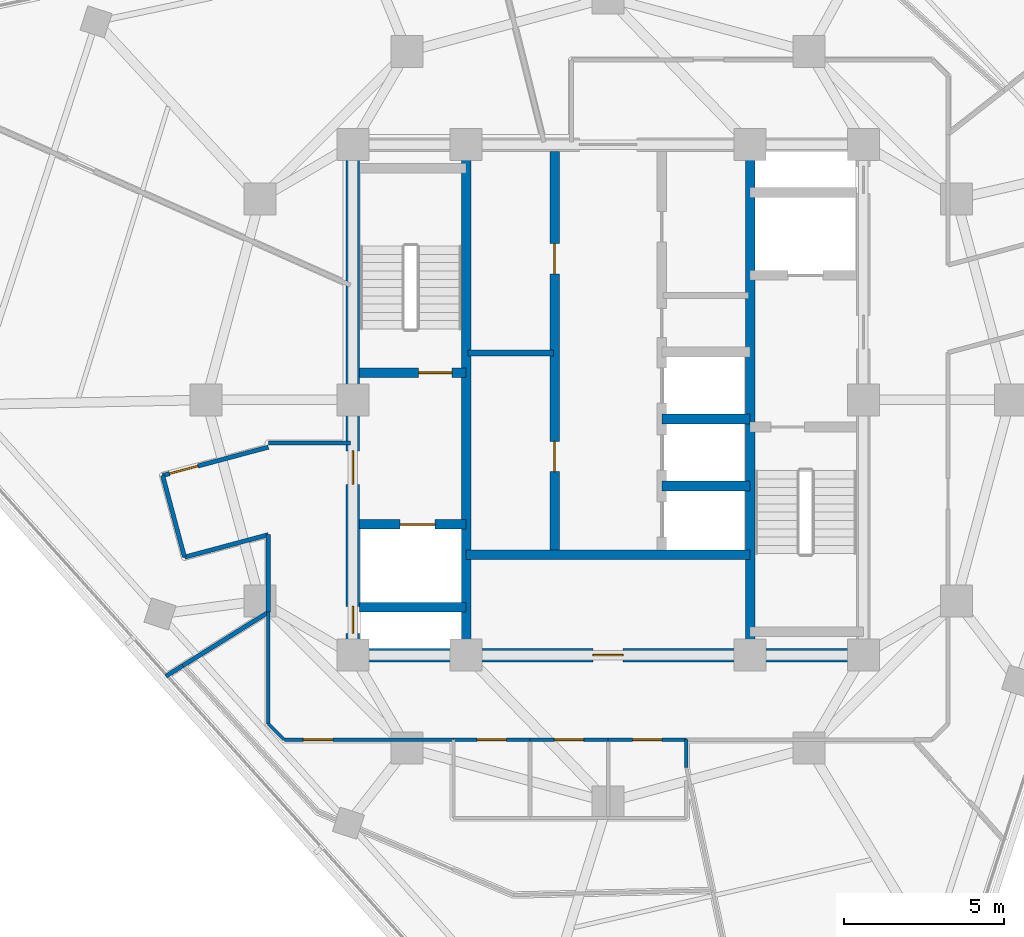
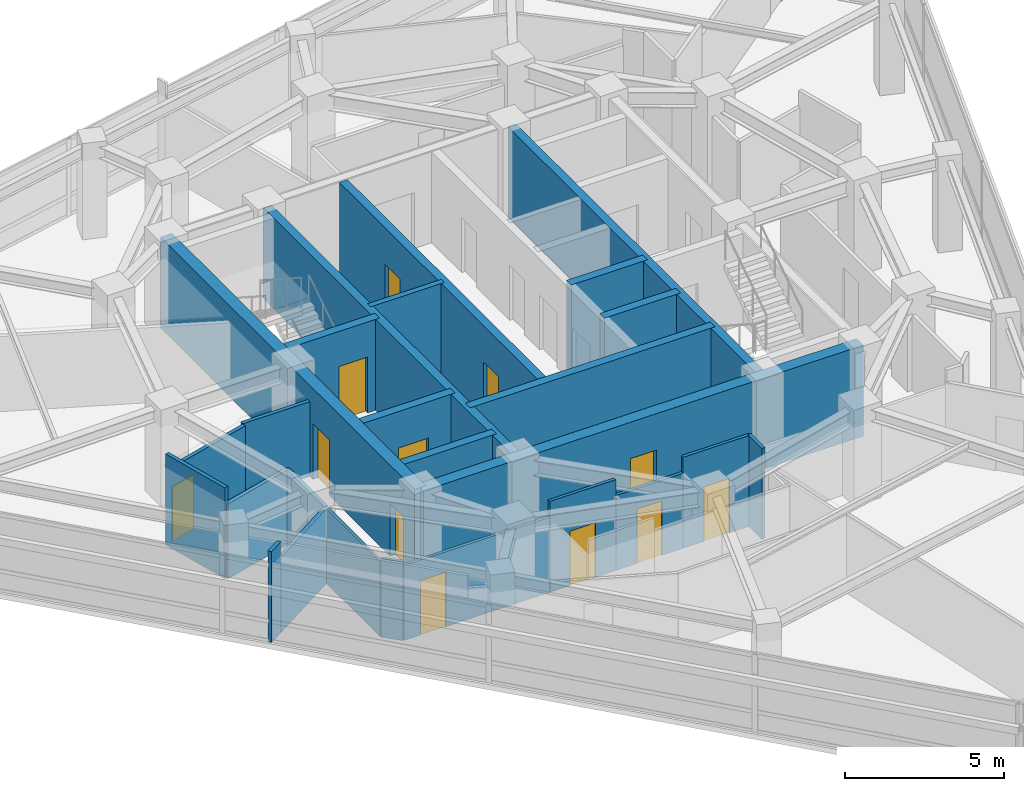
# One storey, part 8 of 15: 26 walls, 12 doors, 12 openings.
"""IFC4 building model written with IfcOpenShell, lengths in metres."""

from ifc_helpers import new_model, si_unit, direction, frame, frame_2d, origin, place, context, subcontext, project, spatial, rectangle, extrude, material, layer, layer_set, type_object, element, fill, save


model = new_model("IFC4")

# Units and contexts
model_context = context("Model", 3, precision=1e-05, world=origin(), true_north=direction((0.0, 1.0)))
body_context = subcontext(model_context, "Body", "Model", "MODEL_VIEW")
ifc_project = project(units=[si_unit("LENGTHUNIT", "METRE"), si_unit("AREAUNIT", "SQUARE_METRE"), si_unit("VOLUMEUNIT", "CUBIC_METRE"), si_unit("PLANEANGLEUNIT", "RADIAN"), si_unit("MASSUNIT", "GRAM", prefix="KILO")], contexts=[model_context])

# Site, building, storey
site_placement = place(None, origin())
site = spatial("IfcSite", under=ifc_project, at=site_placement, CompositionType="ELEMENT")
building_placement = place(site_placement, origin())
building = spatial("IfcBuilding", under=site, at=building_placement, Name="Terralouvre Media Tower", CompositionType="ELEMENT")
storey_placement = place(building_placement, frame((0.0, 0.0, 283.199951171875)))
storey = spatial("IfcBuildingStorey", under=building, at=storey_placement, Name="L73", CompositionType="ELEMENT", Elevation=283.199951171875)

# Walls
ifc_material_1 = material(Name="Concrete C50/60", Category="concrete")
ifc_layer_1 = layer(ifc_material_1, 0.300048828125, Name="Core Internal Shaft Wall CW-300")
ifc_layer_set_1 = layer_set([ifc_layer_1], Name="Concrete C50/60")
wall_type_1 = type_object("IfcWallType", Name="Core Internal Shaft Wall CW-300", PredefinedType="SHEAR", material=ifc_layer_set_1)
for number, where, z_axis, x_axis, name in (
    (1, (-4.449951171875, -7.7900390625, 0.0), (0.0, 0.0, 1.0), (0.0, 1.0, 0.0), "L73 Core Shaft Wall SPW"),
    (2, (4.449951171875, -7.7900390625, 0.0), (0.0, 0.0, 1.0), (0.0, 1.0, 0.0), "L73 Core Shaft Wall SPE"),
):
    element("IfcWall", number, at=place(storey_placement, frame(where, z_axis=z_axis, x_axis=x_axis)), inside=storey, type_object=wall_type_1, Name=name, PredefinedType="SHEAR", context=body_context, shape_type="SweptSolid", body=[
        extrude(rectangle(XDim=15.580078125, YDim=0.300048828125, at=frame_2d((7.7900390625, 0.0))), origin(), (0.0, 0.0, 1.0), 3.5),
    ])

# Wall, opening, door
wall_1_placement = place(storey_placement, frame((-7.7900390625, 0.85009765625, 0.0), z_axis=(0.0, 0.0, 1.0), x_axis=(1.0, 0.0, 0.0)))
wall_1 = element("IfcWall", 3, at=wall_1_placement, inside=storey, type_object=wall_type_1, Name="L73 Core Shaft Wall ST1D", PredefinedType="SHEAR", context=body_context, shape_type="SweptSolid", body=[
    extrude(rectangle(XDim=3.340087890625, YDim=0.300048828125, at=frame_2d((1.669921875, 0.0))), origin(), (0.0, 0.0, 1.0), 3.5),
])
opening_1_placement = place(wall_1_placement, frame((1.85009765625, 0.0, 0.0)))
opening_1 = element("IfcOpeningElement", 4, at=opening_1_placement, cuts=wall_1, Name="Opening FD-01-105X215", PredefinedType="OPENING", context=body_context, shape_type="SweptSolid", body=[
    extrude(rectangle(XDim=1.050048828125, YDim=2.14990234375, at=frame_2d((0.52490234375, 1.074951171875))), frame((0.0, 0.159912109375, 0.0), z_axis=(0.0, -1.0, 0.0), x_axis=(1.0, 0.0, 0.0)), (0.0, 0.0, 1.0), 0.320068359375),
])
ifc_material_2 = material(Name="Galvanised steel fire-resisting leaf", Category="steel")
door_type_1 = type_object("IfcDoorType", Name="Stair and Firefighting Lobby Fire Door FD-01 (1050x2150)", OperationType="NOTDEFINED", PredefinedType="DOOR", material=ifc_material_2)
door_1_placement = place(opening_1_placement, origin())
door_1 = element("IfcDoor", 5, at=door_1_placement, inside=storey, type_object=door_type_1, Name="L73 ST-01 Exit Stair Door", OperationType="SINGLE_SWING_LEFT", OverallHeight=2.14990234375, OverallWidth=1.050048828125, PredefinedType="DOOR", context=body_context, shape_type="SweptSolid", body=[
    extrude(rectangle(XDim=1.050048828125, YDim=2.14990234375, at=frame_2d((0.52490234375, 1.074951171875))), frame((0.0, 0.02490234375, 0.0), z_axis=(0.0, -1.0, 0.0), x_axis=(1.0, 0.0, 0.0)), (0.0, 0.0, 1.0), 0.050048828125),
])
fill(opening_1, door_1)

wall_2_placement = place(storey_placement, frame((-7.7900390625, -3.89990234375, 0.0), z_axis=(0.0, 0.0, 1.0), x_axis=(1.0, 0.0, 0.0)))
wall_2 = element("IfcWall", 6, at=wall_2_placement, inside=storey, type_object=wall_type_1, Name="L73 Core Shaft Wall FF1N", PredefinedType="SHEAR", context=body_context, shape_type="SweptSolid", body=[
    extrude(rectangle(XDim=3.340087890625, YDim=0.300048828125, at=frame_2d((1.669921875, 0.0))), origin(), (0.0, 0.0, 1.0), 3.5),
])
opening_2_placement = place(wall_2_placement, frame((1.27001953125, 0.0, 0.0)))
opening_2 = element("IfcOpeningElement", 7, at=opening_2_placement, cuts=wall_2, Name="Opening LD-FF", PredefinedType="OPENING", context=body_context, shape_type="SweptSolid", body=[
    extrude(rectangle(XDim=1.10009765625, YDim=2.10009765625, at=frame_2d((0.550048828125, 1.050048828125))), frame((0.0, 0.159912109375, 0.0), z_axis=(0.0, -1.0, 0.0), x_axis=(1.0, 0.0, 0.0)), (0.0, 0.0, 1.0), 0.320068359375),
])
ifc_material_3 = material(Name="Stainless steel 316 handrail and balustrade", Category="steel")
door_type_2 = type_object("IfcDoorType", Name="Firefighting Lift Sliding Landing Door LD-FF", OperationType="SLIDING_TO_LEFT", PredefinedType="DOOR", material=ifc_material_3)
door_2_placement = place(opening_2_placement, origin())
door_2 = element("IfcDoor", 8, at=door_2_placement, inside=storey, type_object=door_type_2, Name="L73 Firefighting Lift FFL-01 Landing Door", OperationType="SLIDING_TO_LEFT", OverallHeight=2.10009765625, OverallWidth=1.10009765625, PredefinedType="DOOR", context=body_context, shape_type="SweptSolid", body=[
    extrude(rectangle(XDim=1.10009765625, YDim=2.10009765625, at=frame_2d((0.550048828125, 1.050048828125))), frame((0.0, 0.02490234375, 0.0), z_axis=(0.0, -1.0, 0.0), x_axis=(1.0, 0.0, 0.0)), (0.0, 0.0, 1.0), 0.050048828125),
])
fill(opening_2, door_2)

# Walls
wall_3_placement = place(storey_placement, frame((-7.7900390625, -6.5, 0.0), z_axis=(0.0, 0.0, 1.0), x_axis=(1.0, 0.0, 0.0)))
element("IfcWall", 9, at=wall_3_placement, inside=storey, type_object=wall_type_1, Name="L73 Core Shaft Wall FF1S", PredefinedType="SHEAR", context=body_context, shape_type="SweptSolid", body=[
    extrude(rectangle(XDim=3.340087890625, YDim=0.300048828125, at=frame_2d((1.669921875, 0.0))), origin(), (0.0, 0.0, 1.0), 3.5),
])
wall_4_placement = place(storey_placement, frame((-4.449951171875, -4.85009765625, 0.0), z_axis=(0.0, 0.0, 1.0), x_axis=(1.0, 0.0, 0.0)))
element("IfcWall", 10, at=wall_4_placement, inside=storey, type_object=wall_type_1, Name="L73 Core Shaft Wall CSBN", PredefinedType="SHEAR", context=body_context, shape_type="SweptSolid", body=[
    extrude(rectangle(XDim=8.89990234375, YDim=0.300048828125, at=frame_2d((4.449951171875, 0.0))), origin(), (0.0, 0.0, 1.0), 3.5),
])

# Wall, openings, doors
wall_5_placement = place(storey_placement, frame((-1.679931640625, -4.85009765625, 0.0), z_axis=(0.0, 0.0, 1.0), x_axis=(0.0, 1.0, 0.0)))
wall_5 = element("IfcWall", 11, at=wall_5_placement, inside=storey, type_object=wall_type_1, Name="L73 Core Shaft Wall LBW", PredefinedType="SHEAR", context=body_context, shape_type="SweptSolid", body=[
    extrude(rectangle(XDim=12.64013671875, YDim=0.300048828125, at=frame_2d((6.320068359375, 0.0))), origin(), (0.0, 0.0, 1.0), 3.5),
])
opening_3_placement = place(wall_5_placement, frame((2.60009765625, 0.0, 0.0)))
opening_3 = element("IfcOpeningElement", 12, at=opening_3_placement, cuts=wall_5, Name="Opening FD-02-95X210", PredefinedType="OPENING", context=body_context, shape_type="SweptSolid", body=[
    extrude(rectangle(XDim=0.949951171875, YDim=2.10009765625, at=frame_2d((0.47509765625, 1.050048828125))), frame((0.0, 0.159912109375, 0.0), z_axis=(0.0, -1.0, 0.0), x_axis=(1.0, 0.0, 0.0)), (0.0, 0.0, 1.0), 0.320068359375),
])
opening_4_placement = place(wall_5_placement, frame((8.800048828125, 0.0, 0.0)))
opening_4 = element("IfcOpeningElement", 13, at=opening_4_placement, cuts=wall_5, Name="Opening FD-04-95X210", PredefinedType="OPENING", context=body_context, shape_type="SweptSolid", body=[
    extrude(rectangle(XDim=0.949951171875, YDim=2.10009765625, at=frame_2d((0.47509765625, 1.050048828125))), frame((0.0, 0.159912109375, 0.0), z_axis=(0.0, -1.0, 0.0), x_axis=(1.0, 0.0, 0.0)), (0.0, 0.0, 1.0), 0.320068359375),
])
ifc_material_4 = material(Name="Galvanised steel fire-resisting leaf", Category="steel")
door_type_3 = type_object("IfcDoorType", Name="Core Store and Service Fire Door FD-04 (950x2100)", OperationType="NOTDEFINED", PredefinedType="DOOR", material=ifc_material_4)
door_3_placement = place(opening_4_placement, origin())
door_3 = element("IfcDoor", 14, at=door_3_placement, inside=storey, type_object=door_type_3, Name="L73 Core Linen Store Door", OperationType="SINGLE_SWING_RIGHT", OverallHeight=2.10009765625, OverallWidth=0.949951171875, PredefinedType="DOOR", context=body_context, shape_type="SweptSolid", body=[
    extrude(rectangle(XDim=0.949951171875, YDim=2.10009765625, at=frame_2d((0.47509765625, 1.050048828125))), frame((0.0, 0.02490234375, 0.0), z_axis=(0.0, -1.0, 0.0), x_axis=(1.0, 0.0, 0.0)), (0.0, 0.0, 1.0), 0.050048828125),
])
fill(opening_4, door_3)
ifc_material_5 = material(Name="Galvanised steel fire-resisting leaf", Category="steel")
door_type_4 = type_object("IfcDoorType", Name="Plant and Riser Fire Door FD-02 (950x2100)", OperationType="NOTDEFINED", PredefinedType="DOOR", material=ifc_material_5)
door_4_placement = place(opening_3_placement, origin())
door_4 = element("IfcDoor", 15, at=door_4_placement, inside=storey, type_object=door_type_4, Name="L73 Core Fibre Patch Plant Door", OperationType="SINGLE_SWING_LEFT", OverallHeight=2.10009765625, OverallWidth=0.949951171875, PredefinedType="DOOR", context=body_context, shape_type="SweptSolid", body=[
    extrude(rectangle(XDim=0.949951171875, YDim=2.10009765625, at=frame_2d((0.47509765625, 1.050048828125))), frame((0.0, 0.02490234375, 0.0), z_axis=(0.0, -1.0, 0.0), x_axis=(1.0, 0.0, 0.0)), (0.0, 0.0, 1.0), 0.050048828125),
])
fill(opening_3, door_4)

# Walls
for number, where, z_axis, x_axis, name in (
    (16, (1.679931640625, -2.699951171875, 0.0), (0.0, 0.0, 1.0), (1.0, 0.0, 0.0), "L73 Core Shaft Wall PLHD1"),
    (17, (1.679931640625, -0.60009765625, 0.0), (0.0, 0.0, 1.0), (1.0, 0.0, 0.0), "L73 Core Shaft Wall PLHD2"),
):
    element("IfcWall", number, at=place(storey_placement, frame(where, z_axis=z_axis, x_axis=x_axis)), inside=storey, type_object=wall_type_1, Name=name, PredefinedType="SHEAR", context=body_context, shape_type="SweptSolid", body=[
        extrude(rectangle(XDim=2.77001953125, YDim=0.300048828125, at=frame_2d((1.385009765625, 0.0))), origin(), (0.0, 0.0, 1.0), 3.5),
    ])

# Wall, openings, doors
ifc_material_6 = material(Name="Concrete C60/75", Category="concrete")
ifc_layer_2 = layer(ifc_material_6, 0.419921875, Name="Core Reinforced Concrete Shear Wall CW-420")
ifc_layer_set_2 = layer_set([ifc_layer_2], Name="Concrete C60/75")
wall_type_2 = type_object("IfcWallType", Name="Core Reinforced Concrete Shear Wall CW-420", PredefinedType="SHEAR", material=ifc_layer_set_2)
wall_6_placement = place(storey_placement, frame((-8.0, -8.0, 0.0), z_axis=(0.0, 0.0, 1.0), x_axis=(0.0, 1.0, 0.0)))
wall_6 = element("IfcWall", 18, at=wall_6_placement, inside=storey, type_object=wall_type_2, Name="L73 W Core Shear Wall", PredefinedType="SHEAR", context=body_context, shape_type="SweptSolid", body=[
    extrude(rectangle(XDim=16.0, YDim=0.419921875, at=frame_2d((8.0, 0.0))), origin(), (0.0, 0.0, 1.0), 3.5),
])
opening_5_placement = place(wall_6_placement, frame((0.68115234375, 0.0, 0.0)))
opening_5 = element("IfcOpeningElement", 19, at=opening_5_placement, cuts=wall_6, Name="Opening TD-R1", PredefinedType="OPENING", context=body_context, shape_type="SweptSolid", body=[
    extrude(rectangle(XDim=0.85009765625, YDim=2.02001953125, at=frame_2d((0.425048828125, 1.010009765625))), frame((0.0, 0.219970703125, 0.0), z_axis=(0.0, -1.0, 0.0), x_axis=(1.0, 0.0, 0.0)), (0.0, 0.0, 1.0), 0.43994140625),
])
opening_6_placement = place(wall_6_placement, frame((5.35009765625, 0.0, 0.0)))
opening_6 = element("IfcOpeningElement", 20, at=opening_6_placement, cuts=wall_6, Name="Opening FD-01-105X215", PredefinedType="OPENING", context=body_context, shape_type="SweptSolid", body=[
    extrude(rectangle(XDim=1.050048828125, YDim=2.14990234375, at=frame_2d((0.52490234375, 1.074951171875))), frame((0.0, 0.219970703125, 0.0), z_axis=(0.0, -1.0, 0.0), x_axis=(1.0, 0.0, 0.0)), (0.0, 0.0, 1.0), 0.43994140625),
])
ifc_material_7 = material(Name="Galvanised steel fire-resisting leaf", Category="steel")
door_type_5 = type_object("IfcDoorType", Name="Riser Inspection Access Trapdoor TD-R1", OperationType="NOTDEFINED", PredefinedType="TRAPDOOR", material=ifc_material_7)
door_5_placement = place(opening_5_placement, origin())
door_5 = element("IfcDoor", 21, at=door_5_placement, inside=storey, type_object=door_type_5, Name="L73 Wet Riser Access Trapdoor", OperationType="SINGLE_SWING_LEFT", OverallHeight=2.02001953125, OverallWidth=0.85009765625, PredefinedType="TRAPDOOR", context=body_context, shape_type="SweptSolid", body=[
    extrude(rectangle(XDim=0.85009765625, YDim=2.02001953125, at=frame_2d((0.425048828125, 1.010009765625))), frame((0.0, 0.02490234375, 0.0), z_axis=(0.0, -1.0, 0.0), x_axis=(1.0, 0.0, 0.0)), (0.0, 0.0, 1.0), 0.050048828125),
])
fill(opening_5, door_5)
door_6_placement = place(opening_6_placement, origin())
door_6 = element("IfcDoor", 22, at=door_6_placement, inside=storey, type_object=door_type_1, Name="L73 West Firefighting Lobby Entry Door", OperationType="SINGLE_SWING_RIGHT", OverallHeight=2.14990234375, OverallWidth=1.050048828125, PredefinedType="DOOR", context=body_context, shape_type="SweptSolid", body=[
    extrude(rectangle(XDim=1.050048828125, YDim=2.14990234375, at=frame_2d((0.52490234375, 1.074951171875))), frame((0.0, 0.02490234375, 0.0), z_axis=(0.0, -1.0, 0.0), x_axis=(1.0, 0.0, 0.0)), (0.0, 0.0, 1.0), 0.050048828125),
])
fill(opening_6, door_6)

# Wall, opening, door
wall_7_placement = place(storey_placement, frame((-8.0, -8.0, 0.0), z_axis=(0.0, 0.0, 1.0), x_axis=(1.0, 0.0, 0.0)))
wall_7 = element("IfcWall", 23, at=wall_7_placement, inside=storey, type_object=wall_type_2, Name="L73 S Core Shear Wall", PredefinedType="SHEAR", context=body_context, shape_type="SweptSolid", body=[
    extrude(rectangle(XDim=16.0, YDim=0.419921875, at=frame_2d((8.0, 0.0))), origin(), (0.0, 0.0, 1.0), 3.5),
])
opening_7_placement = place(wall_7_placement, frame((7.52001953125, 0.0, 0.0)))
opening_7 = element("IfcOpeningElement", 24, at=opening_7_placement, cuts=wall_7, Name="Opening FD-02-95X210", PredefinedType="OPENING", context=body_context, shape_type="SweptSolid", body=[
    extrude(rectangle(XDim=0.949951171875, YDim=2.10009765625, at=frame_2d((0.47509765625, 1.050048828125))), frame((0.0, 0.219970703125, 0.0), z_axis=(0.0, -1.0, 0.0), x_axis=(1.0, 0.0, 0.0)), (0.0, 0.0, 1.0), 0.43994140625),
])
door_7_placement = place(opening_7_placement, origin())
door_7 = element("IfcDoor", 25, at=door_7_placement, inside=storey, type_object=door_type_4, Name="L73 Core Switchgear Plant Door", OperationType="SINGLE_SWING_LEFT", OverallHeight=2.10009765625, OverallWidth=0.949951171875, PredefinedType="DOOR", context=body_context, shape_type="SweptSolid", body=[
    extrude(rectangle(XDim=0.949951171875, YDim=2.10009765625, at=frame_2d((0.47509765625, 1.050048828125))), frame((0.0, 0.02490234375, 0.0), z_axis=(0.0, -1.0, 0.0), x_axis=(1.0, 0.0, 0.0)), (0.0, 0.0, 1.0), 0.050048828125),
])
fill(opening_7, door_7)

# Walls
ifc_material_8 = material(Name="Low-iron laminated double glazing with solar-control coating", Category="glass")
ifc_layer_3 = layer(ifc_material_8, 0.10009765625, Name="Demountable Glazed Office Partition PT-GL100")
ifc_layer_set_3 = layer_set([ifc_layer_3], Name="Low-iron laminated double glazing with solar-control coating")
wall_type_3 = type_object("IfcWallType", Name="Demountable Glazed Office Partition PT-GL100", PredefinedType="MOVABLE", material=ifc_layer_set_3)
wall_8_placement = place(storey_placement, frame((-10.64990234375, -6.655029296875, 0.0), z_axis=(0.0, 0.0, 1.0), x_axis=(0.0, -1.0, 0.0)))
element("IfcWall", 26, at=wall_8_placement, inside=storey, type_object=wall_type_3, Name="L73 Interior Partition 013", PredefinedType="MOVABLE", context=body_context, shape_type="SweptSolid", body=[
    extrude(rectangle(XDim=3.494873046875, YDim=0.10009765625, at=frame_2d((1.74755859375, 0.0))), origin(), (0.0, 0.0, 1.0), 2.885009765625),
])
wall_9_placement = place(storey_placement, frame((-10.64990234375, -10.14990234375, 0.0), z_axis=(0.0, 0.0, 1.0), x_axis=(0.707106781187, -0.707106781187, 0.0)))
element("IfcWall", 27, at=wall_9_placement, inside=storey, type_object=wall_type_3, Name="L73 Interior Partition 014", PredefinedType="MOVABLE", context=body_context, shape_type="SweptSolid", body=[
    extrude(rectangle(XDim=0.70703125, YDim=0.10009765625, at=frame_2d((0.353515625, 0.0))), origin(), (0.0, 0.0, 1.0), 3.03515625),
])

# Wall, opening, door
wall_10_placement = place(storey_placement, frame((-10.14990234375, -10.64990234375, 0.0), z_axis=(0.0, 0.0, 1.0), x_axis=(1.0, 0.0, 0.0)))
wall_10 = element("IfcWall", 28, at=wall_10_placement, inside=storey, type_object=wall_type_3, Name="L73 Interior Partition 015", PredefinedType="MOVABLE", context=body_context, shape_type="SweptSolid", body=[
    extrude(rectangle(XDim=5.2998046875, YDim=0.10009765625, at=frame_2d((2.64990234375, 0.0))), origin(), (0.0, 0.0, 1.0), 2.885009765625),
])
opening_8_placement = place(wall_10_placement, frame((0.60009765625, 0.0, 0.0)))
opening_8 = element("IfcOpeningElement", 29, at=opening_8_placement, cuts=wall_10, Name="Opening ID-03-92X210", PredefinedType="OPENING", context=body_context, shape_type="SweptSolid", body=[
    extrude(rectangle(XDim=0.919921875, YDim=2.10009765625, at=frame_2d((0.4599609375, 1.050048828125))), frame((0.0, 0.06005859375, 0.0), z_axis=(0.0, -1.0, 0.0), x_axis=(1.0, 0.0, 0.0)), (0.0, 0.0, 1.0), 0.1201171875),
])
ifc_material_9 = material(Name="Engineered hardwood acoustic timber leaf", Category="wood")
door_type_6 = type_object("IfcDoorType", Name="Accessible Restroom and Suite Door ID-03 (920x2100)", OperationType="NOTDEFINED", PredefinedType="DOOR", material=ifc_material_9)
door_8_placement = place(opening_8_placement, origin())
door_8 = element("IfcDoor", 30, at=door_8_placement, inside=storey, type_object=door_type_6, Name="L73 Journalism Training Classroom 3 Door", OperationType="SINGLE_SWING_RIGHT", OverallHeight=2.10009765625, OverallWidth=0.919921875, PredefinedType="DOOR", context=body_context, shape_type="SweptSolid", body=[
    extrude(rectangle(XDim=0.919921875, YDim=2.10009765625, at=frame_2d((0.4599609375, 1.050048828125))), frame((0.0, 0.02490234375, 0.0), z_axis=(0.0, -1.0, 0.0), x_axis=(1.0, 0.0, 0.0)), (0.0, 0.0, 1.0), 0.050048828125),
])
fill(opening_8, door_8)

# Walls
ifc_material_10 = material(Name="Fire-rated gypsum board drywall partition")
ifc_layer_4 = layer(ifc_material_10, 0.199951171875, Name="Fire-Rated Shaft and Lobby Partition FW-200")
ifc_layer_set_4 = layer_set([ifc_layer_4], Name="Fire-rated gypsum board drywall partition")
wall_type_4 = type_object("IfcWallType", Name="Fire-Rated Shaft and Lobby Partition FW-200", PredefinedType="SOLIDWALL", material=ifc_layer_set_4)
wall_11_placement = place(storey_placement, frame((-4.39990234375, 1.469970703125, 0.0), z_axis=(0.0, 0.0, 1.0), x_axis=(1.0, 0.0, 0.0)))
element("IfcWall", 31, at=wall_11_placement, inside=storey, type_object=wall_type_4, Name="L73 Core West Sub-Partition 1", PredefinedType="SOLIDWALL", context=body_context, shape_type="SweptSolid", body=[
    extrude(rectangle(XDim=2.679931640625, YDim=0.199951171875, at=frame_2d((1.33984375, 0.0))), origin(), (0.0, 0.0, 1.0), 3.5),
])
ifc_material_11 = material(Name="Fire-rated gypsum board drywall partition")
ifc_layer_5 = layer(ifc_material_11, 0.135009765625, Name="Newsroom Acoustic Partition PT-135")
ifc_layer_set_5 = layer_set([ifc_layer_5], Name="Fire-rated gypsum board drywall partition")
wall_type_5 = type_object("IfcWallType", Name="Newsroom Acoustic Partition PT-135", PredefinedType="PARTITIONING", material=ifc_layer_set_5)
wall_12_placement = place(storey_placement, frame((-8.080078125, -1.35009765625, 0.0), z_axis=(0.0, 0.0, 1.0), x_axis=(-1.0, 0.0, 0.0)))
element("IfcWall", 32, at=wall_12_placement, inside=storey, type_object=wall_type_5, Name="L73 Interior Partition 001", PredefinedType="PARTITIONING", context=body_context, shape_type="SweptSolid", body=[
    extrude(rectangle(XDim=2.56982421875, YDim=0.135009765625, at=frame_2d((1.284912109375, 0.0))), origin(), (0.0, 0.0, 1.0), 2.885009765625),
])

# Wall, opening, door
wall_13_placement = place(storey_placement, frame((-10.64990234375, -1.48193359375, 0.0), z_axis=(0.0, 0.0, 1.0), x_axis=(-0.965961397105, -0.2586862565, 0.0)))
wall_13 = element("IfcWall", 33, at=wall_13_placement, inside=storey, type_object=wall_type_5, Name="L73 Interior Partition 002", PredefinedType="PARTITIONING", context=body_context, shape_type="SweptSolid", body=[
    extrude(rectangle(XDim=3.4287109375, YDim=0.135009765625, at=frame_2d((1.71435546875, 0.0))), origin(), (0.0, 0.0, 1.0), 2.885009765625),
])
opening_9_placement = place(wall_13_placement, frame((2.282958984375, 0.0, 0.0)))
opening_9 = element("IfcOpeningElement", 34, at=opening_9_placement, cuts=wall_13, Name="Opening ID-03-92X210", PredefinedType="OPENING", context=body_context, shape_type="SweptSolid", body=[
    extrude(rectangle(XDim=0.919921875, YDim=2.10009765625, at=frame_2d((0.4599609375, 1.050048828125))), frame((0.0, 0.077392578125, 0.0), z_axis=(0.0, -1.0, 0.0), x_axis=(1.0, 0.0, 0.0)), (0.0, 0.0, 1.0), 0.155029296875),
])
door_9_placement = place(opening_9_placement, origin())
door_9 = element("IfcDoor", 35, at=door_9_placement, inside=storey, type_object=door_type_6, Name="L73 Admissions Reception 1 Door", OperationType="SINGLE_SWING_RIGHT", OverallHeight=2.10009765625, OverallWidth=0.919921875, PredefinedType="DOOR", context=body_context, shape_type="SweptSolid", body=[
    extrude(rectangle(XDim=0.919921875, YDim=2.10009765625, at=frame_2d((0.4599609375, 1.050048828125))), frame((0.0, 0.02490234375, 0.0), z_axis=(0.0, -1.0, 0.0), x_axis=(1.0, 0.0, 0.0)), (0.0, 0.0, 1.0), 0.050048828125),
])
fill(opening_9, door_9)

# Walls
wall_14_placement = place(storey_placement, frame((-13.9619140625, -2.368896484375, 0.0), z_axis=(0.0, 0.0, 1.0), x_axis=(0.258413725385, -0.966034340245, 0.0)))
element("IfcWall", 36, at=wall_14_placement, inside=storey, type_object=wall_type_5, Name="L73 Interior Partition 003", PredefinedType="PARTITIONING", context=body_context, shape_type="SweptSolid", body=[
    extrude(rectangle(XDim=2.650146484375, YDim=0.135009765625, at=frame_2d((1.3251953125, 0.0))), origin(), (0.0, 0.0, 1.0), 3.5),
])
wall_15_placement = place(storey_placement, frame((-13.277099609375, -4.928955078125, 0.0), z_axis=(0.0, 0.0, 1.0), x_axis=(0.965934830229, 0.258785439601, 0.0)))
element("IfcWall", 37, at=wall_15_placement, inside=storey, type_object=wall_type_5, Name="L73 Interior Partition 004", PredefinedType="PARTITIONING", context=body_context, shape_type="SweptSolid", body=[
    extrude(rectangle(XDim=2.719970703125, YDim=0.135009765625, at=frame_2d((1.35986328125, 0.0))), origin(), (0.0, 0.0, 1.0), 2.885009765625),
])
wall_16_placement = place(storey_placement, frame((-10.64990234375, -4.22509765625, 0.0), z_axis=(0.0, 0.0, 1.0), x_axis=(0.0, -1.0, 0.0)))
element("IfcWall", 38, at=wall_16_placement, inside=storey, type_object=wall_type_5, Name="L73 Interior Partition 005", PredefinedType="PARTITIONING", context=body_context, shape_type="SweptSolid", body=[
    extrude(rectangle(XDim=2.429931640625, YDim=0.135009765625, at=frame_2d((1.21484375, 0.0))), origin(), (0.0, 0.0, 1.0), 2.885009765625),
])
wall_17_placement = place(storey_placement, frame((-13.3291015625, -8.3291015625, 0.0), z_axis=(0.0, 0.0, 1.0), x_axis=(0.848059079617, 0.529901686617, 0.0)))
element("IfcWall", 39, at=wall_17_placement, inside=storey, type_object=wall_type_5, Name="L73 Interior Partition 024", PredefinedType="PARTITIONING", context=body_context, shape_type="SweptSolid", body=[
    extrude(rectangle(XDim=3.1591796875, YDim=0.135009765625, at=frame_2d((1.57958984375, 0.0))), origin(), (0.0, 0.0, 1.0), 2.885009765625),
])
wall_18_placement = place(storey_placement, frame((-13.861083984375, -8.661376953125, 0.0), z_axis=(0.0, 0.0, 1.0), x_axis=(0.848151340075, 0.529754003599, 0.0)))
element("IfcWall", 40, at=wall_18_placement, inside=storey, type_object=wall_type_5, Name="L73 Interior Partition 025", PredefinedType="PARTITIONING", context=body_context, shape_type="SweptSolid", body=[
    extrude(rectangle(XDim=0.627197265625, YDim=0.135009765625, at=frame_2d((0.3134765625, 0.0))), origin(), (0.0, 0.0, 1.0), 3.5),
])

# Wall, opening, door
ifc_material_12 = material(Name="Fire-rated gypsum board drywall partition")
ifc_layer_6 = layer(ifc_material_12, 0.114990234375, Name="Restroom and Pantry Partition PT-115")
ifc_layer_set_6 = layer_set([ifc_layer_6], Name="Fire-rated gypsum board drywall partition")
wall_type_6 = type_object("IfcWallType", Name="Restroom and Pantry Partition PT-115", PredefinedType="PARTITIONING", material=ifc_layer_set_6)
wall_19_placement = place(storey_placement, frame((-4.85009765625, -10.64990234375, 0.0), z_axis=(0.0, 0.0, 1.0), x_axis=(1.0, 0.0, 0.0)))
wall_19 = element("IfcWall", 41, at=wall_19_placement, inside=storey, type_object=wall_type_6, Name="L73 Interior Partition 016", PredefinedType="PARTITIONING", context=body_context, shape_type="SweptSolid", body=[
    extrude(rectangle(XDim=2.400146484375, YDim=0.114990234375, at=frame_2d((1.2001953125, 0.0))), origin(), (0.0, 0.0, 1.0), 3.5),
])
opening_10_placement = place(wall_19_placement, frame((0.739990234375, 0.0, 0.0)))
opening_10 = element("IfcOpeningElement", 42, at=opening_10_placement, cuts=wall_19, Name="Opening ID-03-92X210", PredefinedType="OPENING", context=body_context, shape_type="SweptSolid", body=[
    extrude(rectangle(XDim=0.919921875, YDim=2.10009765625, at=frame_2d((0.4599609375, 1.050048828125))), frame((0.0, 0.0673828125, 0.0), z_axis=(0.0, -1.0, 0.0), x_axis=(1.0, 0.0, 0.0)), (0.0, 0.0, 1.0), 0.135009765625),
])
door_10_placement = place(opening_10_placement, origin())
door_10 = element("IfcDoor", 43, at=door_10_placement, inside=storey, type_object=door_type_6, Name="L73 Male Restroom WC Door", OperationType="SINGLE_SWING_LEFT", OverallHeight=2.10009765625, OverallWidth=0.919921875, PredefinedType="DOOR", context=body_context, shape_type="SweptSolid", body=[
    extrude(rectangle(XDim=0.919921875, YDim=2.10009765625, at=frame_2d((0.4599609375, 1.050048828125))), frame((0.0, 0.02490234375, 0.0), z_axis=(0.0, -1.0, 0.0), x_axis=(1.0, 0.0, 0.0)), (0.0, 0.0, 1.0), 0.050048828125),
])
fill(opening_10, door_10)

wall_20_placement = place(storey_placement, frame((-2.449951171875, -10.64990234375, 0.0), z_axis=(0.0, 0.0, 1.0), x_axis=(1.0, 0.0, 0.0)))
wall_20 = element("IfcWall", 44, at=wall_20_placement, inside=storey, type_object=wall_type_6, Name="L73 Interior Partition 017", PredefinedType="PARTITIONING", context=body_context, shape_type="SweptSolid", body=[
    extrude(rectangle(XDim=2.449951171875, YDim=0.114990234375, at=frame_2d((1.22509765625, 0.0))), origin(), (0.0, 0.0, 1.0), 2.885009765625),
])
opening_11_placement = place(wall_20_placement, frame((0.764892578125, 0.0, 0.0)))
opening_11 = element("IfcOpeningElement", 45, at=opening_11_placement, cuts=wall_20, Name="Opening ID-03-92X210", PredefinedType="OPENING", context=body_context, shape_type="SweptSolid", body=[
    extrude(rectangle(XDim=0.919921875, YDim=2.10009765625, at=frame_2d((0.4599609375, 1.050048828125))), frame((0.0, 0.0673828125, 0.0), z_axis=(0.0, -1.0, 0.0), x_axis=(1.0, 0.0, 0.0)), (0.0, 0.0, 1.0), 0.135009765625),
])
door_11_placement = place(opening_11_placement, origin())
door_11 = element("IfcDoor", 46, at=door_11_placement, inside=storey, type_object=door_type_6, Name="L73 Female Restroom WC Door", OperationType="SINGLE_SWING_RIGHT", OverallHeight=2.10009765625, OverallWidth=0.919921875, PredefinedType="DOOR", context=body_context, shape_type="SweptSolid", body=[
    extrude(rectangle(XDim=0.919921875, YDim=2.10009765625, at=frame_2d((0.4599609375, 1.050048828125))), frame((0.0, 0.02490234375, 0.0), z_axis=(0.0, -1.0, 0.0), x_axis=(1.0, 0.0, 0.0)), (0.0, 0.0, 1.0), 0.050048828125),
])
fill(opening_11, door_11)

wall_21_placement = place(storey_placement, frame((0.0, -10.64990234375, 0.0), z_axis=(0.0, 0.0, 1.0), x_axis=(1.0, 0.0, 0.0)))
wall_21 = element("IfcWall", 47, at=wall_21_placement, inside=storey, type_object=wall_type_6, Name="L73 Interior Partition 018", PredefinedType="PARTITIONING", context=body_context, shape_type="SweptSolid", body=[
    extrude(rectangle(XDim=2.449951171875, YDim=0.114990234375, at=frame_2d((1.22509765625, 0.0))), origin(), (0.0, 0.0, 1.0), 3.5),
])
opening_12_placement = place(wall_21_placement, frame((0.764892578125, 0.0, 0.0)))
opening_12 = element("IfcOpeningElement", 48, at=opening_12_placement, cuts=wall_21, Name="Opening ID-03-92X210", PredefinedType="OPENING", context=body_context, shape_type="SweptSolid", body=[
    extrude(rectangle(XDim=0.919921875, YDim=2.10009765625, at=frame_2d((0.4599609375, 1.050048828125))), frame((0.0, 0.0673828125, 0.0), z_axis=(0.0, -1.0, 0.0), x_axis=(1.0, 0.0, 0.0)), (0.0, 0.0, 1.0), 0.135009765625),
])
door_12_placement = place(opening_12_placement, origin())
door_12 = element("IfcDoor", 49, at=door_12_placement, inside=storey, type_object=door_type_6, Name="L73 Accessible Unisex WC Door", OperationType="SINGLE_SWING_LEFT", OverallHeight=2.10009765625, OverallWidth=0.919921875, PredefinedType="DOOR", context=body_context, shape_type="SweptSolid", body=[
    extrude(rectangle(XDim=0.919921875, YDim=2.10009765625, at=frame_2d((0.4599609375, 1.050048828125))), frame((0.0, 0.02490234375, 0.0), z_axis=(0.0, -1.0, 0.0), x_axis=(1.0, 0.0, 0.0)), (0.0, 0.0, 1.0), 0.050048828125),
])
fill(opening_12, door_12)

# Wall
wall_22_placement = place(storey_placement, frame((2.449951171875, -11.52587890625, 0.0), z_axis=(0.0, 0.0, 1.0), x_axis=(0.0, 1.0, 0.0)))
element("IfcWall", 50, at=wall_22_placement, inside=storey, type_object=wall_type_6, Name="L73 Interior Partition 042", PredefinedType="PARTITIONING", context=body_context, shape_type="SweptSolid", body=[
    extrude(rectangle(XDim=0.8759765625, YDim=0.114990234375, at=frame_2d((0.43798828125, 0.0))), origin(), (0.0, 0.0, 1.0), 3.5),
])

save(model, "model.ifc")
